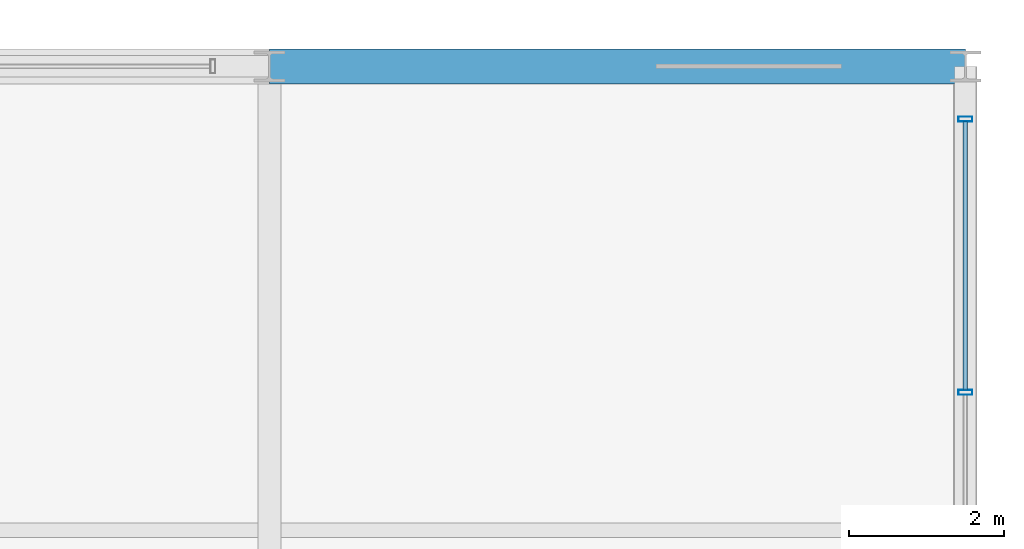
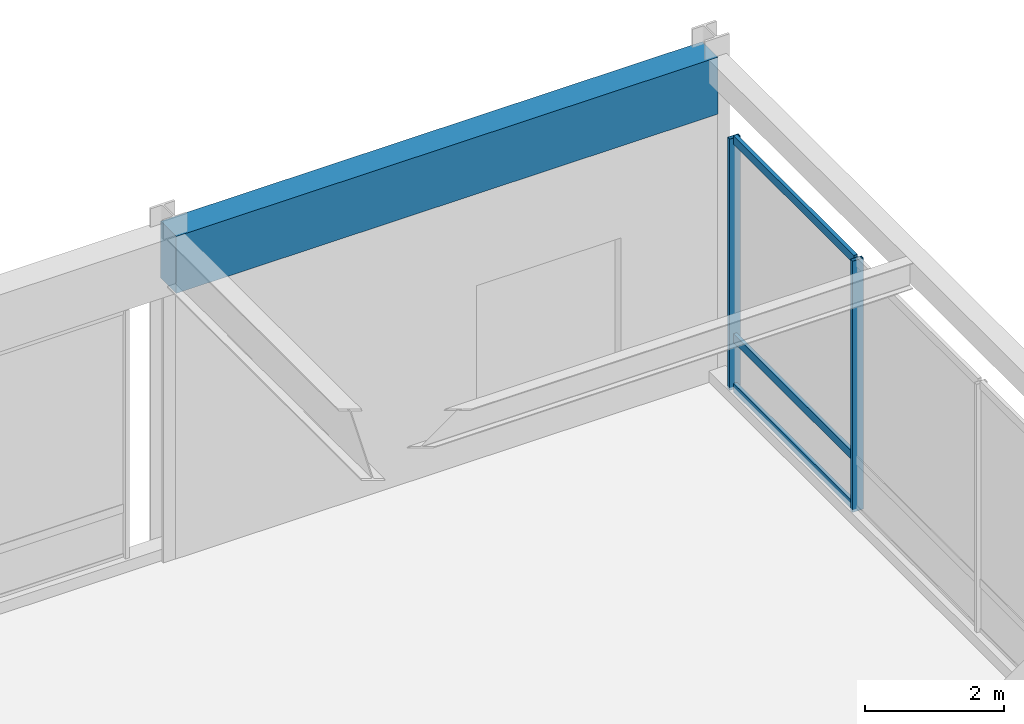
# One storey, part 70 of 105: 5 members, 1 beam, 1 element without a shape of its own.
"""IFC4 building model written with IfcOpenShell, lengths in metres."""

from ifc_helpers import new_model, si_unit, direction, frame, origin, origin_2d, place, context, subcontext, project, spatial, rectangle, hollow_rectangle, extrude, material, material_profile, profile_set, type_object, element, aggregate, save


model = new_model("IFC4")

# Units and contexts
model_context = context("Model", 3, precision=1e-05, world=origin(), true_north=direction((0.0, 1.0)))
body_context = subcontext(model_context, "Body", "Model", "MODEL_VIEW")
ifc_project = project(units=[si_unit("LENGTHUNIT", "METRE"), si_unit("AREAUNIT", "SQUARE_METRE"), si_unit("VOLUMEUNIT", "CUBIC_METRE"), si_unit("PLANEANGLEUNIT", "RADIAN"), si_unit("MASSUNIT", "GRAM", prefix="KILO")], contexts=[model_context])

# Site, building, storey
site_placement = place(None, origin())
site = spatial("IfcSite", under=ifc_project, at=site_placement, CompositionType="ELEMENT")
building_placement = place(site_placement, origin())
building = spatial("IfcBuilding", under=site, at=building_placement, Name="Kaldorvane Square Convention Centre", CompositionType="ELEMENT")
storey_placement = place(building_placement, frame((0.0, 0.0, 6.0)))
storey = spatial("IfcBuildingStorey", under=building, at=storey_placement, Name="L01", CompositionType="ELEMENT", Elevation=6.0)

# Beam
ifc_material_1 = material(Name="Concrete f'c = 42 MPa (Normalweight)", Category="concrete")
ifc_material_profile_1 = material_profile(ifc_material_1, rectangle(XDim=0.4499969482421875, YDim=1.0, at=origin_2d()), Name="RCSP1000X450")
ifc_profile_set_1 = profile_set([ifc_material_profile_1], Name="Concrete f'c = 42 MPa (Normalweight)")
beam_type = type_object("IfcBeamType", Name="BM-SP-RC1000", PredefinedType="SPANDREL", material=ifc_profile_set_1)
beam_placement = place(storey_placement, frame((165.0, 117.0, 5.175994873046875), z_axis=(1.0, 0.0, 0.0), x_axis=(0.0, 1.0, 0.0)))
element("IfcBeam", 1, at=beam_placement, inside=storey, type_object=beam_type, Name="Perimeter Spandrel (L01)", PredefinedType="SPANDREL", context=body_context, shape_type="SweptSolid", body=[
    extrude(rectangle(XDim=0.4499969482421875, YDim=1.0, at=origin_2d()), origin(), (0.0, 0.0, 1.0), 9.0),
])

# Curtain wall, members
ifc_material_2 = material(Name="Anodized Aluminum and Low-E Insulated Glazing", Category="aluminium")
curtain_wall_type = type_object("IfcCurtainWallType", Name="CW-UNI-P60-09", PredefinedType="USERDEFINED", material=ifc_material_2)
curtain_wall_placement = place(storey_placement, origin())
curtain_wall = element("IfcCurtainWall", 2, at=curtain_wall_placement, inside=storey, type_object=curtain_wall_type, Name="Curtain Wall CW-02 (L01)", ObjectType="UNITISED GLAZING", PredefinedType="USERDEFINED")
ifc_material_profile_2 = material_profile(ifc_material_2, hollow_rectangle(XDim=0.06500244140625, YDim=0.17999267578125, WallThickness=0.0034942626953125, at=origin_2d()), Name="CWM-180X65")
ifc_profile_set_2 = profile_set([ifc_material_profile_2], Name="Anodized Aluminum and Low-E Insulated Glazing")
member_type_1 = type_object("IfcMemberType", Name="CW-MUL-180", PredefinedType="MULLION", material=ifc_profile_set_2)
member_1_placement = place(storey_placement, frame((174.0, 112.78334045410156, 0.149993896484375), z_axis=(0.0, 0.0, 1.0), x_axis=(0.0, 1.0, 0.0)))
member_1 = element("IfcMember", 3, at=member_1_placement, type_object=member_type_1, Name="CW-02 mullion 3", PredefinedType="MULLION", context=body_context, shape_type="SweptSolid", body=[
    extrude(hollow_rectangle(XDim=0.06500244140625, YDim=0.17999267578125, WallThickness=0.0034942626953125, at=origin_2d()), origin(), (0.0, 0.0, 1.0), 4.410003662109375),
])
member_2_placement = place(storey_placement, frame((174.0, 116.3175048828125, 0.149993896484375), z_axis=(0.0, 0.0, 1.0), x_axis=(0.0, 1.0, 0.0)))
member_2 = element("IfcMember", 4, at=member_2_placement, type_object=member_type_1, Name="CW-02 mullion 4", PredefinedType="MULLION", context=body_context, shape_type="SweptSolid", body=[
    extrude(hollow_rectangle(XDim=0.06500244140625, YDim=0.17999267578125, WallThickness=0.0034942626953125, at=origin_2d()), origin(), (0.0, 0.0, 1.0), 4.410003662109375),
])
ifc_material_profile_3 = material_profile(ifc_material_2, hollow_rectangle(XDim=0.05999755859375, YDim=0.149993896484375, WallThickness=0.003204345703125, at=origin_2d()), Name="CWT-150X60")
ifc_profile_set_3 = profile_set([ifc_material_profile_3], Name="Anodized Aluminum and Low-E Insulated Glazing")
member_type_2 = type_object("IfcMemberType", Name="CW-TRN-150", PredefinedType="USERDEFINED", material=ifc_profile_set_3)
member_3_placement = place(storey_placement, frame((174.0, 112.81582641601562, 0.17999267578125), z_axis=(0.0, 1.0, 0.0), x_axis=(-1.0, 0.0, 0.0)))
member_3 = element("IfcMember", 5, at=member_3_placement, type_object=member_type_2, Name="CW-02 transom 3.1", ObjectType="TRANSOM", PredefinedType="USERDEFINED", context=body_context, shape_type="SweptSolid", body=[
    extrude(hollow_rectangle(XDim=0.05999755859375, YDim=0.149993896484375, WallThickness=0.003204345703125, at=origin_2d()), origin(), (0.0, 0.0, 1.0), 3.46917724609375),
])
member_4_placement = place(storey_placement, frame((174.0, 112.81582641601562, 1.0500030517578125), z_axis=(0.0, 1.0, 0.0), x_axis=(-1.0, 0.0, 0.0)))
member_4 = element("IfcMember", 6, at=member_4_placement, type_object=member_type_2, Name="CW-02 transom 3.2", ObjectType="TRANSOM", PredefinedType="USERDEFINED", context=body_context, shape_type="SweptSolid", body=[
    extrude(hollow_rectangle(XDim=0.05999755859375, YDim=0.149993896484375, WallThickness=0.003204345703125, at=origin_2d()), origin(), (0.0, 0.0, 1.0), 3.46917724609375),
])
member_5_placement = place(storey_placement, frame((174.0, 112.81582641601562, 4.529998779296875), z_axis=(0.0, 1.0, 0.0), x_axis=(-1.0, 0.0, 0.0)))
member_5 = element("IfcMember", 7, at=member_5_placement, type_object=member_type_2, Name="CW-02 transom 3.3", ObjectType="TRANSOM", PredefinedType="USERDEFINED", context=body_context, shape_type="SweptSolid", body=[
    extrude(hollow_rectangle(XDim=0.05999755859375, YDim=0.149993896484375, WallThickness=0.003204345703125, at=origin_2d()), origin(), (0.0, 0.0, 1.0), 3.46917724609375),
])
aggregate(curtain_wall, [member_1, member_2, member_3, member_4, member_5])

save(model, "model.ifc")
